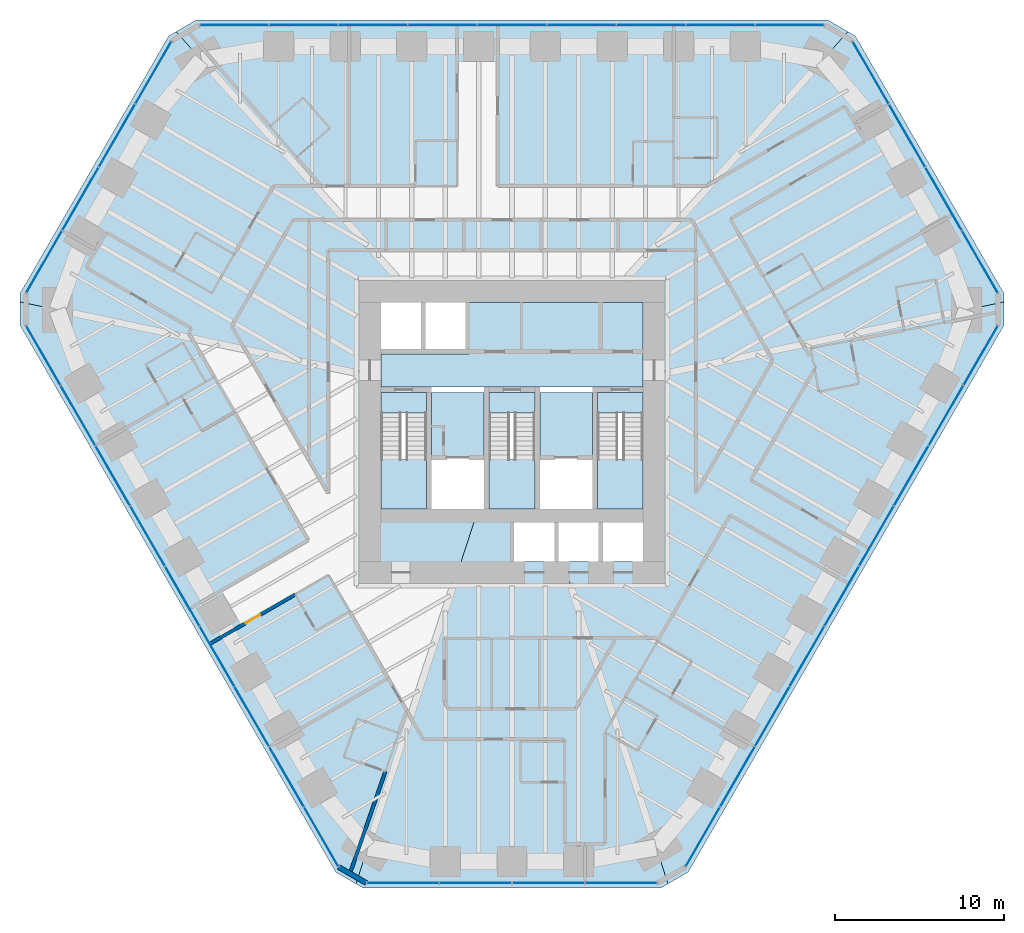
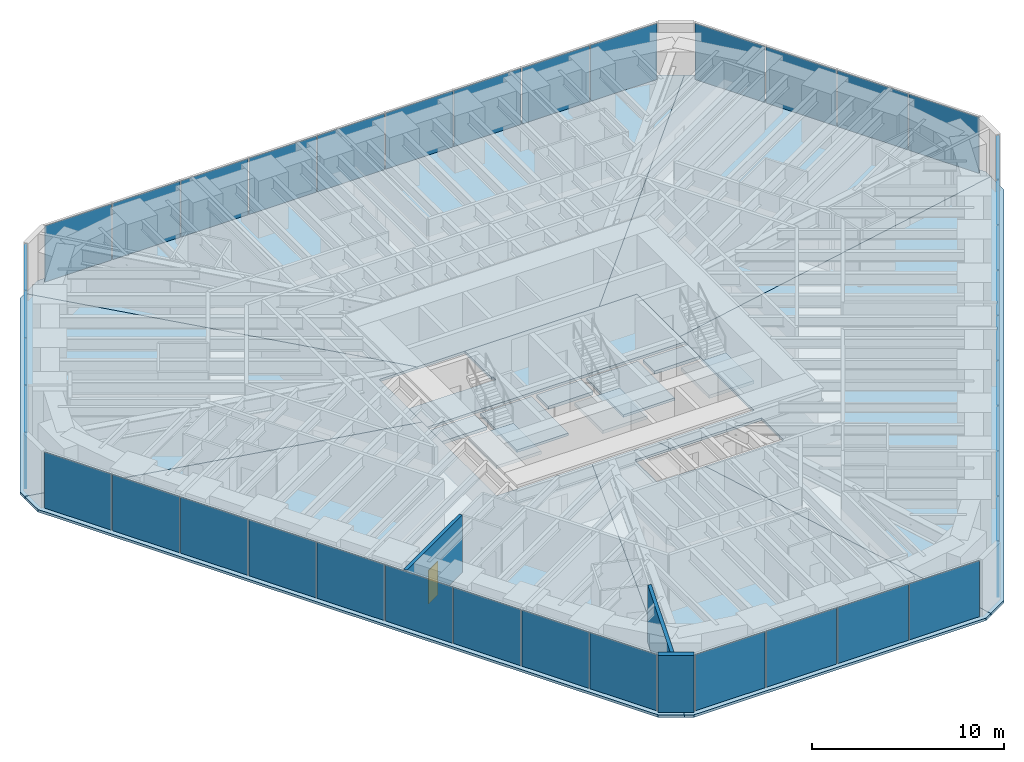
# One storey, part 10 of 17: 39 plates, 15 slabs, 3 walls, 1 door, 1 opening, 9 elements without a shape of their own.
"""IFC4 building model written with IfcOpenShell, lengths in metres."""

from ifc_helpers import new_model, si_unit, direction, frame, frame_2d, origin, origin_2d, place, context, subcontext, project, spatial, polyline, rectangle, outline, extrude, material, layer, layer_set, type_object, element, fill, aggregate, save


model = new_model("IFC4")

# Units and contexts
model_context = context("Model", 3, precision=1e-05, world=origin(), true_north=direction((0.0, 1.0)))
body_context = subcontext(model_context, "Body", "Model", "MODEL_VIEW")
ifc_project = project(units=[si_unit("LENGTHUNIT", "METRE"), si_unit("AREAUNIT", "SQUARE_METRE"), si_unit("VOLUMEUNIT", "CUBIC_METRE"), si_unit("PLANEANGLEUNIT", "RADIAN"), si_unit("MASSUNIT", "GRAM", prefix="KILO")], contexts=[model_context])

# Site, building, storey
site_placement = place(None, origin())
site = spatial("IfcSite", under=ifc_project, at=site_placement, CompositionType="ELEMENT")
building_placement = place(site_placement, origin())
building = spatial("IfcBuilding", under=site, at=building_placement, Name="Sandreach Pilgrim Tower", CompositionType="ELEMENT")
storey_placement = place(building_placement, frame((0.0, 0.0, 146.199951171875)))
storey = spatial("IfcBuildingStorey", under=building, at=storey_placement, Name="L36", CompositionType="ELEMENT", Elevation=146.199951171875)

# Curtain wall, plates
ifc_material_1 = material(Name="Aluminium framed curtain wall", Category="aluminium")
curtain_wall_type = type_object("IfcCurtainWallType", Name="Hotel tower curtain wall", PredefinedType="NOTDEFINED", material=ifc_material_1)
curtain_wall_1_placement = place(storey_placement, origin())
curtain_wall_1 = element("IfcCurtainWall", 1, at=curtain_wall_1_placement, inside=storey, type_object=curtain_wall_type, Name="CW-2 L36 N", PredefinedType="NOTDEFINED")
ifc_material_2 = material(Name="Insulating glass unit 8 heat-strengthened + 16 argon + 8 heat-strengthened", Category="glass")
ifc_layer_1 = layer(ifc_material_2, 0.031982421875)
ifc_layer_set_1 = layer_set([ifc_layer_1], Name="CW-2 panel")
plate_type = type_object("IfcPlateType", Name="CW-2 panel", PredefinedType="CURTAIN_PANEL", material=ifc_layer_set_1)
plate_1_placement = place(storey_placement, frame((-16.41162109375, 22.493896484375, 0.0), z_axis=(0.0, 0.0, 1.0), x_axis=(1.0, 0.0, 0.0)))
plate_1 = element("IfcPlate", 2, at=plate_1_placement, type_object=plate_type, Name="CW-2 panel 1", PredefinedType="CURTAIN_PANEL", context=body_context, shape_type="SweptSolid", body=[
    extrude(rectangle(XDim=4.009521484375, YDim=0.031982421875, at=origin_2d()), origin(), (0.0, 0.0, 1.0), 3.570068359375),
])
plate_2_placement = place(storey_placement, frame((-12.32080078125, 22.493896484375, 0.0), z_axis=(0.0, 0.0, 1.0), x_axis=(1.0, 0.0, 0.0)))
plate_2 = element("IfcPlate", 3, at=plate_2_placement, type_object=plate_type, Name="CW-2 panel 2", PredefinedType="CURTAIN_PANEL", context=body_context, shape_type="SweptSolid", body=[
    extrude(rectangle(XDim=4.0419921875, YDim=0.031982421875, at=origin_2d()), origin(), (0.0, 0.0, 1.0), 3.570068359375),
])
plate_3_placement = place(storey_placement, frame((-8.2138671875, 22.493896484375, 0.0), z_axis=(0.0, 0.0, 1.0), x_axis=(1.0, 0.0, 0.0)))
plate_3 = element("IfcPlate", 4, at=plate_3_placement, type_object=plate_type, Name="CW-2 panel 3", PredefinedType="CURTAIN_PANEL", context=body_context, shape_type="SweptSolid", body=[
    extrude(rectangle(XDim=4.0419921875, YDim=0.031982421875, at=origin_2d()), origin(), (0.0, 0.0, 1.0), 3.570068359375),
])
plate_4_placement = place(storey_placement, frame((-4.10693359375, 22.493896484375, 0.0), z_axis=(0.0, 0.0, 1.0), x_axis=(1.0, 0.0, 0.0)))
plate_4 = element("IfcPlate", 5, at=plate_4_placement, type_object=plate_type, Name="CW-2 panel 4", PredefinedType="CURTAIN_PANEL", context=body_context, shape_type="SweptSolid", body=[
    extrude(rectangle(XDim=4.0419921875, YDim=0.031982421875, at=origin_2d()), origin(), (0.0, 0.0, 1.0), 3.570068359375),
])
plate_5_placement = place(storey_placement, frame((0.0, 22.493896484375, 0.0), z_axis=(0.0, 0.0, 1.0), x_axis=(1.0, 0.0, 0.0)))
plate_5 = element("IfcPlate", 6, at=plate_5_placement, type_object=plate_type, Name="CW-2 panel 5", PredefinedType="CURTAIN_PANEL", context=body_context, shape_type="SweptSolid", body=[
    extrude(rectangle(XDim=4.0419921875, YDim=0.031982421875, at=origin_2d()), origin(), (0.0, 0.0, 1.0), 3.570068359375),
])
plate_6_placement = place(storey_placement, frame((4.10693359375, 22.493896484375, 0.0), z_axis=(0.0, 0.0, 1.0), x_axis=(1.0, 0.0, 0.0)))
plate_6 = element("IfcPlate", 7, at=plate_6_placement, type_object=plate_type, Name="CW-2 panel 6", PredefinedType="CURTAIN_PANEL", context=body_context, shape_type="SweptSolid", body=[
    extrude(rectangle(XDim=4.0419921875, YDim=0.031982421875, at=origin_2d()), origin(), (0.0, 0.0, 1.0), 3.570068359375),
])
plate_7_placement = place(storey_placement, frame((8.2138671875, 22.493896484375, 0.0), z_axis=(0.0, 0.0, 1.0), x_axis=(1.0, 0.0, 0.0)))
plate_7 = element("IfcPlate", 8, at=plate_7_placement, type_object=plate_type, Name="CW-2 panel 7", PredefinedType="CURTAIN_PANEL", context=body_context, shape_type="SweptSolid", body=[
    extrude(rectangle(XDim=4.0419921875, YDim=0.031982421875, at=origin_2d()), origin(), (0.0, 0.0, 1.0), 3.570068359375),
])
plate_8_placement = place(storey_placement, frame((12.32080078125, 22.493896484375, 0.0), z_axis=(0.0, 0.0, 1.0), x_axis=(1.0, 0.0, 0.0)))
plate_8 = element("IfcPlate", 9, at=plate_8_placement, type_object=plate_type, Name="CW-2 panel 8", PredefinedType="CURTAIN_PANEL", context=body_context, shape_type="SweptSolid", body=[
    extrude(rectangle(XDim=4.0419921875, YDim=0.031982421875, at=origin_2d()), origin(), (0.0, 0.0, 1.0), 3.570068359375),
])
plate_9_placement = place(storey_placement, frame((16.41162109375, 22.493896484375, 0.0), z_axis=(0.0, 0.0, 1.0), x_axis=(1.0, 0.0, 0.0)))
plate_9 = element("IfcPlate", 10, at=plate_9_placement, type_object=plate_type, Name="CW-2 panel 9", PredefinedType="CURTAIN_PANEL", context=body_context, shape_type="SweptSolid", body=[
    extrude(rectangle(XDim=4.009521484375, YDim=0.031982421875, at=origin_2d()), origin(), (0.0, 0.0, 1.0), 3.570068359375),
])
aggregate(curtain_wall_1, [plate_1, plate_2, plate_3, plate_4, plate_5, plate_6, plate_7, plate_8, plate_9])

curtain_wall_2_placement = place(storey_placement, origin())
curtain_wall_2 = element("IfcCurtainWall", 11, at=curtain_wall_2_placement, inside=storey, type_object=curtain_wall_type, Name="CW-2 L36 NE", PredefinedType="NOTDEFINED")
plate_10_placement = place(storey_placement, frame((21.194091796875, 19.67529296875, 0.0), z_axis=(0.0, 0.0, 1.0), x_axis=(0.5, -0.866025403784, 0.0)))
plate_10 = element("IfcPlate", 12, at=plate_10_placement, type_object=plate_type, Name="CW-2 panel 1", PredefinedType="CURTAIN_PANEL", context=body_context, shape_type="SweptSolid", body=[
    extrude(rectangle(XDim=4.208251953125, YDim=0.031982421875, at=origin_2d()), origin(), (0.0, 0.0, 1.0), 3.570068359375),
])
plate_11_placement = place(storey_placement, frame((23.3388671875, 15.96044921875, 0.0), z_axis=(0.0, 0.0, 1.0), x_axis=(0.5, -0.866025403784, 0.0)))
plate_11 = element("IfcPlate", 13, at=plate_11_placement, type_object=plate_type, Name="CW-2 panel 2", PredefinedType="CURTAIN_PANEL", context=body_context, shape_type="SweptSolid", body=[
    extrude(rectangle(XDim=4.24072265625, YDim=0.031982421875, at=origin_2d()), origin(), (0.0, 0.0, 1.0), 3.570068359375),
])
plate_12_placement = place(storey_placement, frame((25.49169921875, 12.231689453125, 0.0), z_axis=(0.0, 0.0, 1.0), x_axis=(0.5, -0.866025403784, 0.0)))
plate_12 = element("IfcPlate", 14, at=plate_12_placement, type_object=plate_type, Name="CW-2 panel 3", PredefinedType="CURTAIN_PANEL", context=body_context, shape_type="SweptSolid", body=[
    extrude(rectangle(XDim=4.24072265625, YDim=0.031982421875, at=origin_2d()), origin(), (0.0, 0.0, 1.0), 3.570068359375),
])
plate_13_placement = place(storey_placement, frame((27.63623046875, 8.516845703125, 0.0), z_axis=(0.0, 0.0, 1.0), x_axis=(0.5, -0.866025403784, 0.0)))
plate_13 = element("IfcPlate", 15, at=plate_13_placement, type_object=plate_type, Name="CW-2 panel 4", PredefinedType="CURTAIN_PANEL", context=body_context, shape_type="SweptSolid", body=[
    extrude(rectangle(XDim=4.208251953125, YDim=0.031982421875, at=origin_2d()), origin(), (0.0, 0.0, 1.0), 3.570068359375),
])
aggregate(curtain_wall_2, [plate_10, plate_11, plate_12, plate_13])

curtain_wall_3_placement = place(storey_placement, origin())
curtain_wall_3 = element("IfcCurtainWall", 16, at=curtain_wall_3_placement, inside=storey, type_object=curtain_wall_type, Name="CW-2 L36 SE", PredefinedType="NOTDEFINED")
plate_14_placement = place(storey_placement, frame((27.68603515625, 2.966064453125, 0.0), z_axis=(0.0, 0.0, 1.0), x_axis=(-0.5, -0.866025403784, 0.0)))
plate_14 = element("IfcPlate", 17, at=plate_14_placement, type_object=plate_type, Name="CW-2 panel 1", PredefinedType="CURTAIN_PANEL", context=body_context, shape_type="SweptSolid", body=[
    extrude(rectangle(XDim=4.009521484375, YDim=0.031982421875, at=origin_2d()), origin(), (0.0, 0.0, 1.0), 3.570068359375),
])
plate_15_placement = place(storey_placement, frame((25.640625, -0.57666015625, 0.0), z_axis=(0.0, 0.0, 1.0), x_axis=(-0.5, -0.866025403784, 0.0)))
plate_15 = element("IfcPlate", 18, at=plate_15_placement, type_object=plate_type, Name="CW-2 panel 2", PredefinedType="CURTAIN_PANEL", context=body_context, shape_type="SweptSolid", body=[
    extrude(rectangle(XDim=4.0419921875, YDim=0.031982421875, at=origin_2d()), origin(), (0.0, 0.0, 1.0), 3.570068359375),
])
plate_16_placement = place(storey_placement, frame((23.587158203125, -4.13330078125, 0.0), z_axis=(0.0, 0.0, 1.0), x_axis=(-0.5, -0.866025403784, 0.0)))
plate_16 = element("IfcPlate", 19, at=plate_16_placement, type_object=plate_type, Name="CW-2 panel 3", PredefinedType="CURTAIN_PANEL", context=body_context, shape_type="SweptSolid", body=[
    extrude(rectangle(XDim=4.0419921875, YDim=0.031982421875, at=origin_2d()), origin(), (0.0, 0.0, 1.0), 3.570068359375),
])
plate_17_placement = place(storey_placement, frame((21.53369140625, -7.690185546875, 0.0), z_axis=(0.0, 0.0, 1.0), x_axis=(-0.5, -0.866025403784, 0.0)))
plate_17 = element("IfcPlate", 20, at=plate_17_placement, type_object=plate_type, Name="CW-2 panel 4", PredefinedType="CURTAIN_PANEL", context=body_context, shape_type="SweptSolid", body=[
    extrude(rectangle(XDim=4.0419921875, YDim=0.031982421875, at=origin_2d()), origin(), (0.0, 0.0, 1.0), 3.570068359375),
])
plate_18_placement = place(storey_placement, frame((19.480224609375, -11.246826171875, 0.0), z_axis=(0.0, 0.0, 1.0), x_axis=(-0.5, -0.866025403784, 0.0)))
plate_18 = element("IfcPlate", 21, at=plate_18_placement, type_object=plate_type, Name="CW-2 panel 5", PredefinedType="CURTAIN_PANEL", context=body_context, shape_type="SweptSolid", body=[
    extrude(rectangle(XDim=4.0419921875, YDim=0.031982421875, at=origin_2d()), origin(), (0.0, 0.0, 1.0), 3.570068359375),
])
plate_19_placement = place(storey_placement, frame((17.4267578125, -14.8037109375, 0.0), z_axis=(0.0, 0.0, 1.0), x_axis=(-0.5, -0.866025403784, 0.0)))
plate_19 = element("IfcPlate", 22, at=plate_19_placement, type_object=plate_type, Name="CW-2 panel 6", PredefinedType="CURTAIN_PANEL", context=body_context, shape_type="SweptSolid", body=[
    extrude(rectangle(XDim=4.0419921875, YDim=0.031982421875, at=origin_2d()), origin(), (0.0, 0.0, 1.0), 3.570068359375),
])
plate_20_placement = place(storey_placement, frame((15.373291015625, -18.3603515625, 0.0), z_axis=(0.0, 0.0, 1.0), x_axis=(-0.5, -0.866025403784, 0.0)))
plate_20 = element("IfcPlate", 23, at=plate_20_placement, type_object=plate_type, Name="CW-2 panel 7", PredefinedType="CURTAIN_PANEL", context=body_context, shape_type="SweptSolid", body=[
    extrude(rectangle(XDim=4.0419921875, YDim=0.031982421875, at=origin_2d()), origin(), (0.0, 0.0, 1.0), 3.570068359375),
])
plate_21_placement = place(storey_placement, frame((13.31982421875, -21.917236328125, 0.0), z_axis=(0.0, 0.0, 1.0), x_axis=(-0.5, -0.866025403784, 0.0)))
plate_21 = element("IfcPlate", 24, at=plate_21_placement, type_object=plate_type, Name="CW-2 panel 8", PredefinedType="CURTAIN_PANEL", context=body_context, shape_type="SweptSolid", body=[
    extrude(rectangle(XDim=4.0419921875, YDim=0.031982421875, at=origin_2d()), origin(), (0.0, 0.0, 1.0), 3.570068359375),
])
plate_22_placement = place(storey_placement, frame((11.2744140625, -25.459716796875, 0.0), z_axis=(0.0, 0.0, 1.0), x_axis=(-0.5, -0.866025403784, 0.0)))
plate_22 = element("IfcPlate", 25, at=plate_22_placement, type_object=plate_type, Name="CW-2 panel 9", PredefinedType="CURTAIN_PANEL", context=body_context, shape_type="SweptSolid", body=[
    extrude(rectangle(XDim=4.009521484375, YDim=0.031982421875, at=origin_2d()), origin(), (0.0, 0.0, 1.0), 3.570068359375),
])
aggregate(curtain_wall_3, [plate_14, plate_15, plate_16, plate_17, plate_18, plate_19, plate_20, plate_21, plate_22])

curtain_wall_4_placement = place(storey_placement, origin())
curtain_wall_4 = element("IfcCurtainWall", 26, at=curtain_wall_4_placement, inside=storey, type_object=curtain_wall_type, Name="CW-2 L36 S", PredefinedType="NOTDEFINED")
plate_23_placement = place(storey_placement, frame((6.4423828125, -28.192138671875, 0.0), z_axis=(0.0, 0.0, 1.0), x_axis=(-1.0, 0.0, 0.0)))
plate_23 = element("IfcPlate", 27, at=plate_23_placement, type_object=plate_type, Name="CW-2 panel 1", PredefinedType="CURTAIN_PANEL", context=body_context, shape_type="SweptSolid", body=[
    extrude(rectangle(XDim=4.208251953125, YDim=0.031982421875, at=origin_2d()), origin(), (0.0, 0.0, 1.0), 3.570068359375),
])
plate_24_placement = place(storey_placement, frame((2.15283203125, -28.192138671875, 0.0), z_axis=(0.0, 0.0, 1.0), x_axis=(-1.0, 0.0, 0.0)))
plate_24 = element("IfcPlate", 28, at=plate_24_placement, type_object=plate_type, Name="CW-2 panel 2", PredefinedType="CURTAIN_PANEL", context=body_context, shape_type="SweptSolid", body=[
    extrude(rectangle(XDim=4.24072265625, YDim=0.031982421875, at=origin_2d()), origin(), (0.0, 0.0, 1.0), 3.570068359375),
])
plate_25_placement = place(storey_placement, frame((-2.15283203125, -28.192138671875, 0.0), z_axis=(0.0, 0.0, 1.0), x_axis=(-1.0, 0.0, 0.0)))
plate_25 = element("IfcPlate", 29, at=plate_25_placement, type_object=plate_type, Name="CW-2 panel 3", PredefinedType="CURTAIN_PANEL", context=body_context, shape_type="SweptSolid", body=[
    extrude(rectangle(XDim=4.24072265625, YDim=0.031982421875, at=origin_2d()), origin(), (0.0, 0.0, 1.0), 3.570068359375),
])
plate_26_placement = place(storey_placement, frame((-6.4423828125, -28.192138671875, 0.0), z_axis=(0.0, 0.0, 1.0), x_axis=(-1.0, 0.0, 0.0)))
plate_26 = element("IfcPlate", 30, at=plate_26_placement, type_object=plate_type, Name="CW-2 panel 4", PredefinedType="CURTAIN_PANEL", context=body_context, shape_type="SweptSolid", body=[
    extrude(rectangle(XDim=4.208251953125, YDim=0.031982421875, at=origin_2d()), origin(), (0.0, 0.0, 1.0), 3.570068359375),
])
aggregate(curtain_wall_4, [plate_23, plate_24, plate_25, plate_26])

curtain_wall_5_placement = place(storey_placement, origin())
curtain_wall_5 = element("IfcCurtainWall", 31, at=curtain_wall_5_placement, inside=storey, type_object=curtain_wall_type, Name="CW-2 L36 SW", PredefinedType="NOTDEFINED")
plate_27_placement = place(storey_placement, frame((-11.2744140625, -25.459716796875, 0.0), z_axis=(0.0, 0.0, 1.0), x_axis=(-0.5, 0.866025403784, 0.0)))
plate_27 = element("IfcPlate", 32, at=plate_27_placement, type_object=plate_type, Name="CW-2 panel 1", PredefinedType="CURTAIN_PANEL", context=body_context, shape_type="SweptSolid", body=[
    extrude(rectangle(XDim=4.009521484375, YDim=0.031982421875, at=origin_2d()), origin(), (0.0, 0.0, 1.0), 3.570068359375),
])
plate_28_placement = place(storey_placement, frame((-13.31982421875, -21.917236328125, 0.0), z_axis=(0.0, 0.0, 1.0), x_axis=(-0.5, 0.866025403784, 0.0)))
plate_28 = element("IfcPlate", 33, at=plate_28_placement, type_object=plate_type, Name="CW-2 panel 2", PredefinedType="CURTAIN_PANEL", context=body_context, shape_type="SweptSolid", body=[
    extrude(rectangle(XDim=4.0419921875, YDim=0.031982421875, at=origin_2d()), origin(), (0.0, 0.0, 1.0), 3.570068359375),
])
plate_29_placement = place(storey_placement, frame((-15.373291015625, -18.3603515625, 0.0), z_axis=(0.0, 0.0, 1.0), x_axis=(-0.5, 0.866025403784, 0.0)))
plate_29 = element("IfcPlate", 34, at=plate_29_placement, type_object=plate_type, Name="CW-2 panel 3", PredefinedType="CURTAIN_PANEL", context=body_context, shape_type="SweptSolid", body=[
    extrude(rectangle(XDim=4.0419921875, YDim=0.031982421875, at=origin_2d()), origin(), (0.0, 0.0, 1.0), 3.570068359375),
])
plate_30_placement = place(storey_placement, frame((-17.4267578125, -14.8037109375, 0.0), z_axis=(0.0, 0.0, 1.0), x_axis=(-0.5, 0.866025403784, 0.0)))
plate_30 = element("IfcPlate", 35, at=plate_30_placement, type_object=plate_type, Name="CW-2 panel 4", PredefinedType="CURTAIN_PANEL", context=body_context, shape_type="SweptSolid", body=[
    extrude(rectangle(XDim=4.0419921875, YDim=0.031982421875, at=origin_2d()), origin(), (0.0, 0.0, 1.0), 3.570068359375),
])
plate_31_placement = place(storey_placement, frame((-19.480224609375, -11.246826171875, 0.0), z_axis=(0.0, 0.0, 1.0), x_axis=(-0.5, 0.866025403784, 0.0)))
plate_31 = element("IfcPlate", 36, at=plate_31_placement, type_object=plate_type, Name="CW-2 panel 5", PredefinedType="CURTAIN_PANEL", context=body_context, shape_type="SweptSolid", body=[
    extrude(rectangle(XDim=4.0419921875, YDim=0.031982421875, at=origin_2d()), origin(), (0.0, 0.0, 1.0), 3.570068359375),
])
plate_32_placement = place(storey_placement, frame((-21.53369140625, -7.690185546875, 0.0), z_axis=(0.0, 0.0, 1.0), x_axis=(-0.5, 0.866025403784, 0.0)))
plate_32 = element("IfcPlate", 37, at=plate_32_placement, type_object=plate_type, Name="CW-2 panel 6", PredefinedType="CURTAIN_PANEL", context=body_context, shape_type="SweptSolid", body=[
    extrude(rectangle(XDim=4.0419921875, YDim=0.031982421875, at=origin_2d()), origin(), (0.0, 0.0, 1.0), 3.570068359375),
])
plate_33_placement = place(storey_placement, frame((-23.587158203125, -4.13330078125, 0.0), z_axis=(0.0, 0.0, 1.0), x_axis=(-0.5, 0.866025403784, 0.0)))
plate_33 = element("IfcPlate", 38, at=plate_33_placement, type_object=plate_type, Name="CW-2 panel 7", PredefinedType="CURTAIN_PANEL", context=body_context, shape_type="SweptSolid", body=[
    extrude(rectangle(XDim=4.0419921875, YDim=0.031982421875, at=origin_2d()), origin(), (0.0, 0.0, 1.0), 3.570068359375),
])
plate_34_placement = place(storey_placement, frame((-25.640625, -0.57666015625, 0.0), z_axis=(0.0, 0.0, 1.0), x_axis=(-0.5, 0.866025403784, 0.0)))
plate_34 = element("IfcPlate", 39, at=plate_34_placement, type_object=plate_type, Name="CW-2 panel 8", PredefinedType="CURTAIN_PANEL", context=body_context, shape_type="SweptSolid", body=[
    extrude(rectangle(XDim=4.0419921875, YDim=0.031982421875, at=origin_2d()), origin(), (0.0, 0.0, 1.0), 3.570068359375),
])
plate_35_placement = place(storey_placement, frame((-27.68603515625, 2.966064453125, 0.0), z_axis=(0.0, 0.0, 1.0), x_axis=(-0.5, 0.866025403784, 0.0)))
plate_35 = element("IfcPlate", 40, at=plate_35_placement, type_object=plate_type, Name="CW-2 panel 9", PredefinedType="CURTAIN_PANEL", context=body_context, shape_type="SweptSolid", body=[
    extrude(rectangle(XDim=4.009521484375, YDim=0.031982421875, at=origin_2d()), origin(), (0.0, 0.0, 1.0), 3.570068359375),
])
aggregate(curtain_wall_5, [plate_27, plate_28, plate_29, plate_30, plate_31, plate_32, plate_33, plate_34, plate_35])

curtain_wall_6_placement = place(storey_placement, origin())
curtain_wall_6 = element("IfcCurtainWall", 41, at=curtain_wall_6_placement, inside=storey, type_object=curtain_wall_type, Name="CW-2 L36 NW", PredefinedType="NOTDEFINED")
plate_36_placement = place(storey_placement, frame((-27.63623046875, 8.516845703125, 0.0), z_axis=(0.0, 0.0, 1.0), x_axis=(0.5, 0.866025403784, 0.0)))
plate_36 = element("IfcPlate", 42, at=plate_36_placement, type_object=plate_type, Name="CW-2 panel 1", PredefinedType="CURTAIN_PANEL", context=body_context, shape_type="SweptSolid", body=[
    extrude(rectangle(XDim=4.208251953125, YDim=0.031982421875, at=origin_2d()), origin(), (0.0, 0.0, 1.0), 3.570068359375),
])
plate_37_placement = place(storey_placement, frame((-25.49169921875, 12.231689453125, 0.0), z_axis=(0.0, 0.0, 1.0), x_axis=(0.5, 0.866025403784, 0.0)))
plate_37 = element("IfcPlate", 43, at=plate_37_placement, type_object=plate_type, Name="CW-2 panel 2", PredefinedType="CURTAIN_PANEL", context=body_context, shape_type="SweptSolid", body=[
    extrude(rectangle(XDim=4.24072265625, YDim=0.031982421875, at=origin_2d()), origin(), (0.0, 0.0, 1.0), 3.570068359375),
])
plate_38_placement = place(storey_placement, frame((-23.3388671875, 15.96044921875, 0.0), z_axis=(0.0, 0.0, 1.0), x_axis=(0.5, 0.866025403784, 0.0)))
plate_38 = element("IfcPlate", 44, at=plate_38_placement, type_object=plate_type, Name="CW-2 panel 3", PredefinedType="CURTAIN_PANEL", context=body_context, shape_type="SweptSolid", body=[
    extrude(rectangle(XDim=4.24072265625, YDim=0.031982421875, at=origin_2d()), origin(), (0.0, 0.0, 1.0), 3.570068359375),
])
plate_39_placement = place(storey_placement, frame((-21.194091796875, 19.67529296875, 0.0), z_axis=(0.0, 0.0, 1.0), x_axis=(0.5, 0.866025403784, 0.0)))
plate_39 = element("IfcPlate", 45, at=plate_39_placement, type_object=plate_type, Name="CW-2 panel 4", PredefinedType="CURTAIN_PANEL", context=body_context, shape_type="SweptSolid", body=[
    extrude(rectangle(XDim=4.208251953125, YDim=0.031982421875, at=origin_2d()), origin(), (0.0, 0.0, 1.0), 3.570068359375),
])
aggregate(curtain_wall_6, [plate_36, plate_37, plate_38, plate_39])

# Slabs
ifc_material_3 = material(Name="Concrete 8000 psi", Category="concrete")
ifc_layer_2 = layer(ifc_material_3, 0.159912109375)
ifc_layer_set_2 = layer_set([ifc_layer_2], Name="Composite floor slab 160")
slab_type_1 = type_object("IfcSlabType", Name="Composite floor slab 160", PredefinedType="FLOOR", material=ifc_layer_set_2)
slab_1_placement = place(storey_placement, frame((0.0, 0.0, -0.159912109375)))
element("IfcSlab", 46, at=slab_1_placement, inside=storey, type_object=slab_type_1, Name="Floor slab L36 N sector", PredefinedType="FLOOR", context=body_context, shape_type="SweptSolid", body=[
    extrude(outline(polyline([(-18.654541015625, 22.793701171875), (18.654541015625, 22.793701171875), (19.848388671875, 22.1044921875), (5.477294921875, 6.10009765625), (-5.477294921875, 6.10009765625), (-19.848388671875, 22.1044921875), (-18.654541015625, 22.793701171875)])), origin(), (0.0, 0.0, 1.0), 0.159912109375),
])
slab_2_placement = place(storey_placement, frame((0.0, 0.0, -0.159912109375)))
element("IfcSlab", 47, at=slab_2_placement, inside=storey, type_object=slab_type_1, Name="Floor slab L36 NE sector", PredefinedType="FLOOR", context=body_context, shape_type="SweptSolid", body=[
    extrude(outline(polyline([(20.28271484375, 21.853759765625), (29.0673828125, 6.638427734375), (29.0673828125, 6.13720703125), (7.75, 1.63623046875), (7.75, 6.10009765625), (5.477294921875, 6.10009765625), (19.848388671875, 22.1044921875), (20.28271484375, 21.853759765625)])), origin(), (0.0, 0.0, 1.0), 0.159912109375),
])
slab_3_placement = place(storey_placement, frame((0.0, 0.0, -0.159912109375)))
element("IfcSlab", 48, at=slab_3_placement, inside=storey, type_object=slab_type_1, Name="Floor slab L36 SE sector", PredefinedType="FLOOR", context=body_context, shape_type="SweptSolid", body=[
    extrude(outline(polyline([(29.0673828125, 4.75830078125), (10.41259765625, -27.55224609375), (9.21875, -28.241455078125), (3.003173828125, -9.199951171875), (7.75, -9.199951171875), (7.75, -6.89990234375), (2.252197265625, -6.89990234375), (1.9912109375, -6.10009765625), (7.75, -6.10009765625), (7.75, 1.63623046875), (29.0673828125, 6.13720703125), (29.0673828125, 4.75830078125)])), origin(), (0.0, 0.0, 1.0), 0.159912109375),
])
slab_4_placement = place(storey_placement, frame((0.0, 0.0, -0.159912109375)))
element("IfcSlab", 49, at=slab_4_placement, inside=storey, type_object=slab_type_1, Name="Floor slab L36 S sector", PredefinedType="FLOOR", context=body_context, shape_type="SweptSolid", body=[
    extrude(outline(polyline([(8.78466796875, -28.4921875), (-8.78466796875, -28.4921875), (-9.21875, -28.241455078125), (-1.9912109375, -6.10009765625), (1.9912109375, -6.10009765625), (2.252197265625, -6.89990234375), (0.125, -6.89990234375), (0.125, -9.199951171875), (3.003173828125, -9.199951171875), (9.21875, -28.241455078125), (8.78466796875, -28.4921875)])), origin(), (0.0, 0.0, 1.0), 0.159912109375),
])
slab_5_placement = place(storey_placement, frame((0.0, 0.0, -0.159912109375)))
element("IfcSlab", 50, at=slab_5_placement, inside=storey, type_object=slab_type_1, Name="Floor slab L36 SW sector", PredefinedType="FLOOR", context=body_context, shape_type="SweptSolid", body=[
    extrude(outline(polyline([(-10.41259765625, -27.55224609375), (-29.0673828125, 4.75830078125), (-29.0673828125, 6.13720703125), (-7.75, 1.63623046875), (-7.75, -6.10009765625), (-1.9912109375, -6.10009765625), (-9.21875, -28.241455078125), (-10.41259765625, -27.55224609375)])), origin(), (0.0, 0.0, 1.0), 0.159912109375),
])
slab_6_placement = place(storey_placement, frame((0.0, 0.0, -0.159912109375)))
element("IfcSlab", 51, at=slab_6_placement, inside=storey, type_object=slab_type_1, Name="Floor slab L36 NW sector", PredefinedType="FLOOR", context=body_context, shape_type="SweptSolid", body=[
    extrude(outline(polyline([(-29.0673828125, 6.638427734375), (-20.28271484375, 21.853759765625), (-19.848388671875, 22.1044921875), (-5.477294921875, 6.10009765625), (-7.75, 6.10009765625), (-7.75, 1.63623046875), (-29.0673828125, 6.13720703125), (-29.0673828125, 6.638427734375)])), origin(), (0.0, 0.0, 1.0), 0.159912109375),
])
slab_7_placement = place(storey_placement, frame((0.0, 0.0, -0.159912109375)))
element("IfcSlab", 52, at=slab_7_placement, inside=storey, type_object=slab_type_1, Name="Core floor slab and stores L36", PredefinedType="FLOOR", context=body_context, shape_type="SweptSolid", body=[
    extrude(outline(polyline([(-7.75, 3.050048828125), (-5.375, 3.050048828125), (-5.125, 3.050048828125), (-2.5, 3.050048828125), (-2.5, 3.35009765625), (-2.60009765625, 3.35009765625), (-2.60009765625, 6.10009765625), (7.75, 6.10009765625), (7.75, 1.10009765625), (5.050048828125, 1.10009765625), (4.75, 1.10009765625), (1.64990234375, 1.10009765625), (1.35009765625, 1.10009765625), (-1.35009765625, 1.10009765625), (-1.64990234375, 1.10009765625), (-4.75, 1.10009765625), (-5.050048828125, 1.10009765625), (-7.75, 1.10009765625), (-7.75, 3.050048828125)])), origin(), (0.0, 0.0, 1.0), 0.159912109375),
])
slab_8_placement = place(storey_placement, frame((0.0, 0.0, -0.159912109375)))
element("IfcSlab", 53, at=slab_8_placement, inside=storey, type_object=slab_type_1, Name="Core floor slab and stores L36 2", PredefinedType="FLOOR", context=body_context, shape_type="SweptSolid", body=[
    extrude(outline(polyline([(-1.64990234375, -3.050048828125), (-4.75, -3.050048828125), (-4.75, 0.800048828125), (-1.64990234375, 0.800048828125), (-1.64990234375, -3.050048828125)])), origin(), (0.0, 0.0, 1.0), 0.159912109375),
])
slab_9_placement = place(storey_placement, frame((0.0, 0.0, -0.159912109375)))
element("IfcSlab", 54, at=slab_9_placement, inside=storey, type_object=slab_type_1, Name="Core floor slab and stores L36 3", PredefinedType="FLOOR", context=body_context, shape_type="SweptSolid", body=[
    extrude(outline(polyline([(4.75, -3.050048828125), (1.64990234375, -3.050048828125), (1.64990234375, 0.800048828125), (4.75, 0.800048828125), (4.75, -3.050048828125)])), origin(), (0.0, 0.0, 1.0), 0.159912109375),
])

# Stair, slabs
ifc_material_4 = material(Name="Concrete 8000 psi", Category="concrete")
stair_type = type_object("IfcStairType", Name="Core exit stair", PredefinedType="HALF_TURN_STAIR", material=ifc_material_4)
stair_1_placement = place(storey_placement, origin())
stair_1 = element("IfcStair", 55, at=stair_1_placement, inside=storey, type_object=stair_type, Name="Exit stair ST1 L36", PredefinedType="HALF_TURN_STAIR")
ifc_material_5 = material(Name="Concrete 8000 psi", Category="concrete")
ifc_layer_3 = layer(ifc_material_5, 0.199951171875)
ifc_layer_set_3 = layer_set([ifc_layer_3], Name="Core stair landing 200")
slab_type_2 = type_object("IfcSlabType", Name="Core stair landing 200", PredefinedType="LANDING", material=ifc_layer_set_3)
slab_10_placement = place(storey_placement, frame((0.0, 0.0, -0.199951171875)))
slab_10 = element("IfcSlab", 56, at=slab_10_placement, type_object=slab_type_2, Name="ST1 landing 1", PredefinedType="LANDING", context=body_context, shape_type="SweptSolid", body=[
    extrude(outline(polyline([(-7.75, -0.425048828125), (-5.050048828125, -0.425048828125), (-5.050048828125, 0.800048828125), (-7.75, 0.800048828125), (-7.75, -0.425048828125)])), origin(), (0.0, 0.0, 1.0), 0.199951171875),
])
slab_11_placement = place(storey_placement, frame((0.0, 0.0, 1.699951171875)))
slab_11 = element("IfcSlab", 57, at=slab_11_placement, type_object=slab_type_2, Name="ST1 landing 2", PredefinedType="LANDING", context=body_context, shape_type="SweptSolid", body=[
    extrude(outline(polyline([(-7.75, -6.10009765625), (-5.050048828125, -6.10009765625), (-5.050048828125, -3.175048828125), (-7.75, -3.175048828125), (-7.75, -6.10009765625)])), origin(), (0.0, 0.0, 1.0), 0.2001953125),
])
aggregate(stair_1, [slab_10, slab_11])

stair_2_placement = place(storey_placement, origin())
stair_2 = element("IfcStair", 58, at=stair_2_placement, inside=storey, type_object=stair_type, Name="Exit stair ST3 L36", PredefinedType="HALF_TURN_STAIR")
slab_12_placement = place(storey_placement, frame((0.0, 0.0, -0.199951171875)))
slab_12 = element("IfcSlab", 59, at=slab_12_placement, type_object=slab_type_2, Name="ST3 landing 1", PredefinedType="LANDING", context=body_context, shape_type="SweptSolid", body=[
    extrude(outline(polyline([(-1.35009765625, -0.425048828125), (1.35009765625, -0.425048828125), (1.35009765625, 0.800048828125), (-1.35009765625, 0.800048828125), (-1.35009765625, -0.425048828125)])), origin(), (0.0, 0.0, 1.0), 0.199951171875),
])
slab_13_placement = place(storey_placement, frame((0.0, 0.0, 1.699951171875)))
slab_13 = element("IfcSlab", 60, at=slab_13_placement, type_object=slab_type_2, Name="ST3 landing 2", PredefinedType="LANDING", context=body_context, shape_type="SweptSolid", body=[
    extrude(outline(polyline([(-1.35009765625, -6.10009765625), (1.35009765625, -6.10009765625), (1.35009765625, -3.175048828125), (-1.35009765625, -3.175048828125), (-1.35009765625, -6.10009765625)])), origin(), (0.0, 0.0, 1.0), 0.2001953125),
])
aggregate(stair_2, [slab_12, slab_13])

stair_3_placement = place(storey_placement, origin())
stair_3 = element("IfcStair", 61, at=stair_3_placement, inside=storey, type_object=stair_type, Name="Exit stair ST2 L36", PredefinedType="HALF_TURN_STAIR")
slab_14_placement = place(storey_placement, frame((0.0, 0.0, -0.199951171875)))
slab_14 = element("IfcSlab", 62, at=slab_14_placement, type_object=slab_type_2, Name="ST2 landing 1", PredefinedType="LANDING", context=body_context, shape_type="SweptSolid", body=[
    extrude(outline(polyline([(5.050048828125, -0.425048828125), (7.75, -0.425048828125), (7.75, 0.800048828125), (5.050048828125, 0.800048828125), (5.050048828125, -0.425048828125)])), origin(), (0.0, 0.0, 1.0), 0.199951171875),
])
slab_15_placement = place(storey_placement, frame((0.0, 0.0, 1.699951171875)))
slab_15 = element("IfcSlab", 63, at=slab_15_placement, type_object=slab_type_2, Name="ST2 landing 2", PredefinedType="LANDING", context=body_context, shape_type="SweptSolid", body=[
    extrude(outline(polyline([(5.050048828125, -6.10009765625), (7.75, -6.10009765625), (7.75, -3.175048828125), (5.050048828125, -3.175048828125), (5.050048828125, -6.10009765625)])), origin(), (0.0, 0.0, 1.0), 0.2001953125),
])
aggregate(stair_3, [slab_14, slab_15])

# Wall, opening, door
ifc_material_6 = material(Name="Gypsum board on steel studs, two layers each side", Category="steel")
ifc_layer_4 = layer(ifc_material_6, 0.199951171875)
ifc_layer_set_4 = layer_set([ifc_layer_4], Name="Corridor wall 200")
wall_type_1 = type_object("IfcWallType", Name="Corridor wall 200", PredefinedType="PARTITIONING", material=ifc_layer_set_4)
wall_1_placement = place(storey_placement, frame((-17.823974609375, -14.044921875, 0.0), z_axis=(0.0, 0.0, 1.0), x_axis=(0.866007919525, 0.500030282404, 0.0)))
wall_1 = element("IfcWall", 64, at=wall_1_placement, inside=storey, type_object=wall_type_1, Name="Corridor wall L36-020", PredefinedType="PARTITIONING", context=body_context, shape_type="SweptSolid", body=[
    extrude(rectangle(XDim=5.789794921875, YDim=0.199951171875, at=frame_2d((2.89501953125, 0.0))), origin(), (0.0, 0.0, 1.0), 3.64013671875),
])
opening_placement = place(wall_1_placement, frame((2.39501953125, 0.0, 0.0)))
opening = element("IfcOpeningElement", 65, at=opening_placement, cuts=wall_1, Name="Opening D10-12", PredefinedType="OPENING", context=body_context, shape_type="SweptSolid", body=[
    extrude(rectangle(XDim=1.0, YDim=2.1298828125, at=frame_2d((0.5, 1.06494140625))), frame((0.0, 0.10009765625, 0.0), z_axis=(0.0, -1.0, 0.0), x_axis=(1.0, 0.0, 0.0)), (0.0, 0.0, 1.0), 0.199951171875),
])
ifc_material_7 = material(Name="Steel door and frame", Category="steel")
door_type = type_object("IfcDoorType", Name="Guest room entry door", OperationType="SINGLE_SWING_LEFT", PredefinedType="DOOR", material=ifc_material_7)
door_placement = place(opening_placement, origin())
door = element("IfcDoor", 66, at=door_placement, inside=storey, type_object=door_type, Name="Door 3612", OperationType="SINGLE_SWING_LEFT", OverallHeight=2.1298828125, OverallWidth=1.0, PredefinedType="DOOR", context=body_context, shape_type="SweptSolid", body=[
    extrude(rectangle(XDim=1.0, YDim=2.1298828125, at=frame_2d((0.5, 1.06494140625))), frame((0.0, 0.02490234375, 0.0), z_axis=(0.0, -1.0, 0.0), x_axis=(1.0, 0.0, 0.0)), (0.0, 0.0, 1.0), 0.050048828125),
])
fill(opening, door)

# Walls
ifc_material_8 = material(Name="Double steel stud acoustic wall, gypsum board", Category="steel")
ifc_layer_5 = layer(ifc_material_8, 0.199951171875)
ifc_layer_set_5 = layer_set([ifc_layer_5], Name="Party wall 200")
wall_type_2 = type_object("IfcWallType", Name="Party wall 200", PredefinedType="PARTITIONING", material=ifc_layer_set_5)
wall_2_placement = place(storey_placement, frame((-9.580078125, -27.651611328125, 0.0), z_axis=(0.0, 0.0, 1.0), x_axis=(0.327855318627, 0.944727944991, 0.0)))
element("IfcWall", 67, at=wall_2_placement, inside=storey, type_object=wall_type_2, Name="Party wall L36-049", PredefinedType="PARTITIONING", context=body_context, shape_type="SweptSolid", body=[
    extrude(rectangle(XDim=6.405517578125, YDim=0.199951171875, at=frame_2d((3.20263671875, 0.0))), origin(), (0.0, 0.0, 1.0), 3.64013671875),
])
ifc_material_9 = material(Name="Terracotta rainscreen on concrete", Category="masonry")
ifc_layer_6 = layer(ifc_material_9, 0.300048828125)
ifc_layer_set_6 = layer_set([ifc_layer_6], Name="Terracotta chamfer pier")
wall_type_3 = type_object("IfcWallType", Name="Terracotta chamfer pier", PredefinedType="SOLIDWALL", material=ifc_layer_set_6)
wall_3_placement = place(storey_placement, frame((-8.611328125, -28.192138671875, 0.0), z_axis=(0.0, 0.0, 1.0), x_axis=(-0.866045024864, 0.499966013754, 0.0)))
element("IfcWall", 68, at=wall_3_placement, inside=storey, type_object=wall_type_3, Name="Chamfer pier L36 S", PredefinedType="SOLIDWALL", context=body_context, shape_type="SweptSolid", body=[
    extrude(rectangle(XDim=1.880126953125, YDim=0.300048828125, at=frame_2d((0.93994140625, 0.0))), origin(), (0.0, 0.0, 1.0), 3.64013671875),
])

save(model, "model.ifc")
